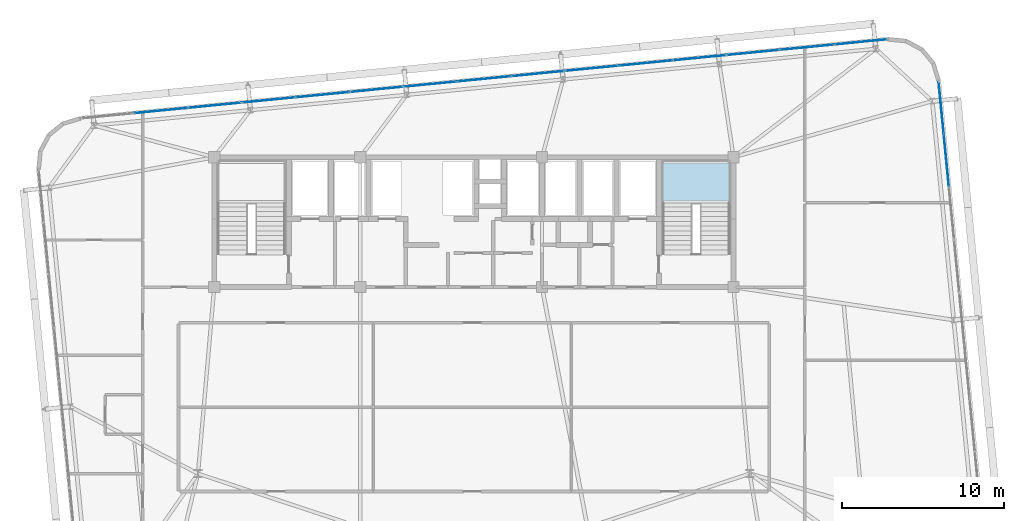
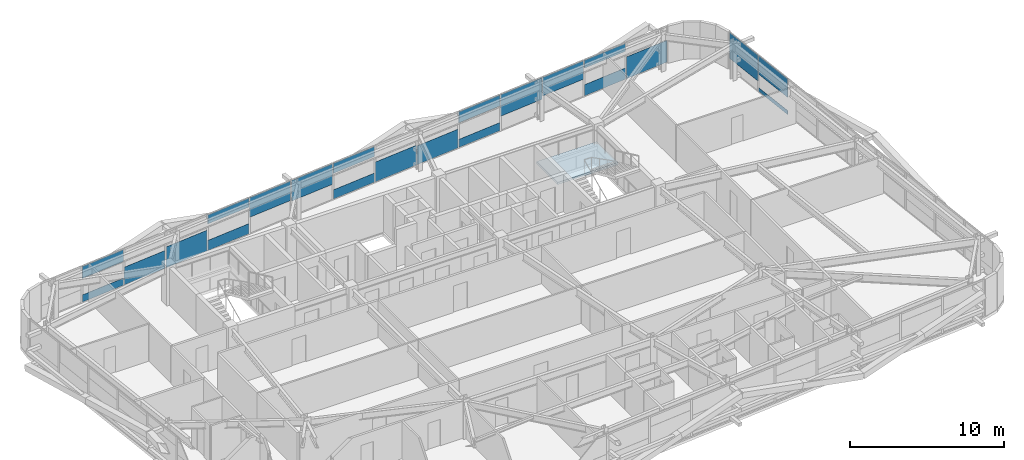
# One storey, part 37 of 54: 22 plates, 1 slab, 3 elements without a shape of their own.
"""IFC4 building model written with IfcOpenShell, lengths in metres."""

from ifc_helpers import new_model, si_unit, direction, frame, origin, origin_2d, place, context, subcontext, project, spatial, polyline, rectangle, outline, extrude, source, transform, mapped, material, layer, layer_set, type_object, element, aggregate, save


model = new_model("IFC4")

# Units and contexts
model_context = context("Model", 3, precision=1e-05, world=origin(), true_north=direction((0.0, 1.0)))
body_context = subcontext(model_context, "Body", "Model", "MODEL_VIEW")
ifc_project = project(units=[si_unit("LENGTHUNIT", "METRE"), si_unit("AREAUNIT", "SQUARE_METRE"), si_unit("VOLUMEUNIT", "CUBIC_METRE"), si_unit("PLANEANGLEUNIT", "RADIAN"), si_unit("MASSUNIT", "GRAM", prefix="KILO")], contexts=[model_context])

# Site, building, storey
site_placement = place(None, origin())
site = spatial("IfcSite", under=ifc_project, at=site_placement, CompositionType="ELEMENT")
building_placement = place(site_placement, origin())
building = spatial("IfcBuilding", under=site, at=building_placement, Name="Taldren Reach Tower", CompositionType="ELEMENT")
storey_placement = place(building_placement, frame((0.0, 0.0, 99.75)))
storey = spatial("IfcBuildingStorey", under=building, at=storey_placement, Name="L30", CompositionType="ELEMENT", Elevation=99.75)

# Stair, slab
ifc_material_1 = material(Name="Concrete S50 (50 MPa)", Category="concrete")
stair_type = type_object("IfcStairType", Name="ST-HT-315", PredefinedType="HALF_TURN_STAIR", material=ifc_material_1)
stair_placement = place(storey_placement, origin())
stair = element("IfcStair", 1, at=stair_placement, inside=storey, type_object=stair_type, Name="Fire-isolated exit stair ST2 L30", PredefinedType="HALF_TURN_STAIR")
ifc_layer_1 = layer(ifc_material_1, 0.179931640625)
ifc_layer_set_1 = layer_set([ifc_layer_1], Name="Concrete S50 (50 MPa)")
slab_type = type_object("IfcSlabType", Name="SL-LAND-180", PredefinedType="LANDING", material=ifc_layer_set_1)
slab_placement = place(storey_placement, frame((0.0, 0.0, 1.39501953125)))
slab = element("IfcSlab", 2, at=slab_placement, type_object=slab_type, Name="ST2 landing 1", PredefinedType="LANDING", context=body_context, shape_type="SweptSolid", body=[
    extrude(outline(polyline([(46.43994140625, 29.135009765625), (50.9599609375, 29.135009765625), (50.9599609375, 31.8701171875), (46.43994140625, 31.8701171875), (46.43994140625, 29.135009765625)])), origin(), (0.0, 0.0, 1.0), 0.179931640625),
])
aggregate(stair, [slab])

# Curtain wall, plates
ifc_material_2 = material(Name="Aluminium and Low-E Glass Unitised System", Category="aluminium")
ifc_layer_2 = layer(ifc_material_2, 0.159912109375)
ifc_layer_set_2 = layer_set([ifc_layer_2], Name="Aluminium and Low-E Glass Unitised System")
curtain_wall_type = type_object("IfcCurtainWallType", Name="CW-SYS-3", PredefinedType="NOTDEFINED", material=ifc_layer_set_2)
curtain_wall_1_placement = place(storey_placement, origin())
curtain_wall_1 = element("IfcCurtainWall", 3, at=curtain_wall_1_placement, inside=storey, type_object=curtain_wall_type, Name="Unitised curtain wall CW-L30-N", PredefinedType="NOTDEFINED")
ifc_material_3 = material(Name="Solar-Control Double Glazed IGU", Category="glass")
ifc_layer_3 = layer(ifc_material_3, 0.031982421875)
ifc_layer_set_3 = layer_set([ifc_layer_3], Name="Solar-Control Double Glazed IGU")
plate_type = type_object("IfcPlateType", Name="CW-PNL-IGU32", PredefinedType="CURTAIN_PANEL", material=ifc_layer_set_3)
shared_shape_1 = source(origin(), body_context, "Body", "SweptSolid", [
    extrude(rectangle(XDim=3.23583984375, YDim=0.031982421875, at=origin_2d()), origin(), (0.0, 0.0, 1.0), 1.72509765625),
])
plate_1_placement = place(storey_placement, frame((58.83740234375, 39.101318359375, 0.054931640625), z_axis=(0.0, 0.0, 1.0), x_axis=(-0.995227390247, -0.097582999046, 0.0)))
plate_1 = element("IfcPlate", 4, at=plate_1_placement, type_object=plate_type, Name="CW-3 panel 1.1 part 1", PredefinedType="CURTAIN_PANEL", context=body_context, shape_type="MappedRepresentation", body=[
    mapped(shared_shape_1, transform((0.0, 0.0, 0.0), scale=1.0)),
])
shared_shape_2 = source(origin(), body_context, "Body", "SweptSolid", [
    extrude(rectangle(XDim=3.268310546875, YDim=0.031982421875, at=origin_2d()), origin(), (0.0, 0.0, 1.0), 0.88818359375),
])
plate_2_placement = place(storey_placement, frame((55.5361328125, 38.777587890625, 0.05517578125), z_axis=(0.0, 0.0, 1.0), x_axis=(-0.995227390247, -0.097582999046, 0.0)))
plate_2 = element("IfcPlate", 5, at=plate_2_placement, type_object=plate_type, Name="CW-3 panel 2.1 part 1", PredefinedType="CURTAIN_PANEL", context=body_context, shape_type="MappedRepresentation", body=[
    mapped(shared_shape_2, transform((0.0, 0.0, 0.0), scale=1.0)),
])
shared_shape_3 = source(origin(), body_context, "Body", "SweptSolid", [
    extrude(rectangle(XDim=3.268310546875, YDim=0.031982421875, at=origin_2d()), origin(), (0.0, 0.0, 1.0), 0.626953125),
])
plate_3_placement = place(storey_placement, frame((55.5361328125, 38.777587890625, 2.248046875), z_axis=(0.0, 0.0, 1.0), x_axis=(-0.995227390247, -0.097582999046, 0.0)))
plate_3 = element("IfcPlate", 6, at=plate_3_placement, type_object=plate_type, Name="CW-3 panel 2.1 part 2", PredefinedType="CURTAIN_PANEL", context=body_context, shape_type="MappedRepresentation", body=[
    mapped(shared_shape_3, transform((0.0, 0.0, 0.0), scale=1.0)),
])
shared_shape_4 = source(origin(), body_context, "Body", "SweptSolid", [
    extrude(rectangle(XDim=3.268310546875, YDim=0.031982421875, at=origin_2d()), origin(), (0.0, 0.0, 1.0), 1.4638671875),
])
plate_4_placement = place(storey_placement, frame((52.21875, 38.452392578125, 1.4111328125), z_axis=(0.0, 0.0, 1.0), x_axis=(-0.995227390247, -0.097582999046, 0.0)))
plate_4 = element("IfcPlate", 7, at=plate_4_placement, type_object=plate_type, Name="CW-3 panel 3.1 part 1", PredefinedType="CURTAIN_PANEL", context=body_context, shape_type="MappedRepresentation", body=[
    mapped(shared_shape_4, transform((0.0, 0.0, 0.0), scale=1.0)),
])
shared_shape_5 = source(origin(), body_context, "Body", "SweptSolid", [
    extrude(rectangle(XDim=3.268310546875, YDim=0.031982421875, at=origin_2d()), origin(), (0.0, 0.0, 1.0), 1.704833984375),
])
plate_5_placement = place(storey_placement, frame((48.9013671875, 38.126953125, 1.17041015625), z_axis=(0.0, 0.0, 1.0), x_axis=(-0.995227390247, -0.097582999046, 0.0)))
plate_5 = element("IfcPlate", 8, at=plate_5_placement, type_object=plate_type, Name="CW-3 panel 4.1 part 1", PredefinedType="CURTAIN_PANEL", context=body_context, shape_type="MappedRepresentation", body=[
    mapped(shared_shape_5, transform((0.0, 0.0, 0.0), scale=1.0)),
])
shared_shape_6 = source(origin(), body_context, "Body", "SweptSolid", [
    extrude(rectangle(XDim=3.268310546875, YDim=0.031982421875, at=origin_2d()), origin(), (0.0, 0.0, 1.0), 0.647216796875),
])
plate_6_placement = place(storey_placement, frame((45.583740234375, 37.8017578125, 0.05517578125), z_axis=(0.0, 0.0, 1.0), x_axis=(-0.995227390247, -0.097582999046, 0.0)))
plate_6 = element("IfcPlate", 9, at=plate_6_placement, type_object=plate_type, Name="CW-3 panel 5.1 part 1", PredefinedType="CURTAIN_PANEL", context=body_context, shape_type="MappedRepresentation", body=[
    mapped(shared_shape_6, transform((0.0, 0.0, 0.0), scale=1.0)),
])
shared_shape_7 = source(origin(), body_context, "Body", "SweptSolid", [
    extrude(rectangle(XDim=3.268310546875, YDim=0.031982421875, at=origin_2d()), origin(), (0.0, 0.0, 1.0), 0.867919921875),
])
plate_7_placement = place(storey_placement, frame((45.583740234375, 37.8017578125, 2.0068359375), z_axis=(0.0, 0.0, 1.0), x_axis=(-0.995227390247, -0.097582999046, 0.0)))
plate_7 = element("IfcPlate", 10, at=plate_7_placement, type_object=plate_type, Name="CW-3 panel 5.1 part 2", PredefinedType="CURTAIN_PANEL", context=body_context, shape_type="MappedRepresentation", body=[
    mapped(shared_shape_7, transform((0.0, 0.0, 0.0), scale=1.0)),
])
shared_shape_8 = source(origin(), body_context, "Body", "SweptSolid", [
    extrude(rectangle(XDim=3.268310546875, YDim=0.031982421875, at=origin_2d()), origin(), (0.0, 0.0, 1.0), 1.484130859375),
])
plate_8_placement = place(storey_placement, frame((42.266357421875, 37.4765625, 0.05517578125), z_axis=(0.0, 0.0, 1.0), x_axis=(-0.995227390247, -0.097582999046, 0.0)))
plate_8 = element("IfcPlate", 11, at=plate_8_placement, type_object=plate_type, Name="CW-3 panel 6.1 part 1", PredefinedType="CURTAIN_PANEL", context=body_context, shape_type="MappedRepresentation", body=[
    mapped(shared_shape_8, transform((0.0, 0.0, 0.0), scale=1.0)),
])
shared_shape_9 = source(origin(), body_context, "Body", "SweptSolid", [
    extrude(rectangle(XDim=3.268310546875, YDim=0.031982421875, at=origin_2d()), origin(), (0.0, 0.0, 1.0), 1.564453125),
])
plate_9_placement = place(storey_placement, frame((38.948974609375, 37.151123046875, 0.054931640625), z_axis=(0.0, 0.0, 1.0), x_axis=(-0.995227390247, -0.097582999046, 0.0)))
plate_9 = element("IfcPlate", 12, at=plate_9_placement, type_object=plate_type, Name="CW-3 panel 7.1 part 1", PredefinedType="CURTAIN_PANEL", context=body_context, shape_type="MappedRepresentation", body=[
    mapped(shared_shape_9, transform((0.0, 0.0, 0.0), scale=1.0)),
])
shared_shape_10 = source(origin(), body_context, "Body", "SweptSolid", [
    extrude(rectangle(XDim=3.268310546875, YDim=0.031982421875, at=origin_2d()), origin(), (0.0, 0.0, 1.0), 0.7275390625),
])
plate_10_placement = place(storey_placement, frame((35.631591796875, 36.825927734375, 0.054931640625), z_axis=(0.0, 0.0, 1.0), x_axis=(-0.995227390247, -0.097582999046, 0.0)))
plate_10 = element("IfcPlate", 13, at=plate_10_placement, type_object=plate_type, Name="CW-3 panel 8.1 part 1", PredefinedType="CURTAIN_PANEL", context=body_context, shape_type="MappedRepresentation", body=[
    mapped(shared_shape_10, transform((0.0, 0.0, 0.0), scale=1.0)),
])
shared_shape_11 = source(origin(), body_context, "Body", "SweptSolid", [
    extrude(rectangle(XDim=3.268310546875, YDim=0.031982421875, at=origin_2d()), origin(), (0.0, 0.0, 1.0), 0.78759765625),
])
plate_11_placement = place(storey_placement, frame((35.631591796875, 36.825927734375, 2.08740234375), z_axis=(0.0, 0.0, 1.0), x_axis=(-0.995227390247, -0.097582999046, 0.0)))
plate_11 = element("IfcPlate", 14, at=plate_11_placement, type_object=plate_type, Name="CW-3 panel 8.1 part 2", PredefinedType="CURTAIN_PANEL", context=body_context, shape_type="MappedRepresentation", body=[
    mapped(shared_shape_11, transform((0.0, 0.0, 0.0), scale=1.0)),
])
shared_shape_12 = source(origin(), body_context, "Body", "SweptSolid", [
    extrude(rectangle(XDim=3.268310546875, YDim=0.031982421875, at=origin_2d()), origin(), (0.0, 0.0, 1.0), 1.62451171875),
])
plate_12_placement = place(storey_placement, frame((32.314208984375, 36.500732421875, 1.25048828125), z_axis=(0.0, 0.0, 1.0), x_axis=(-0.995227390247, -0.097582999046, 0.0)))
plate_12 = element("IfcPlate", 15, at=plate_12_placement, type_object=plate_type, Name="CW-3 panel 9.1 part 1", PredefinedType="CURTAIN_PANEL", context=body_context, shape_type="MappedRepresentation", body=[
    mapped(shared_shape_12, transform((0.0, 0.0, 0.0), scale=1.0)),
])
shared_shape_13 = source(origin(), body_context, "Body", "SweptSolid", [
    extrude(rectangle(XDim=3.268310546875, YDim=0.031982421875, at=origin_2d()), origin(), (0.0, 0.0, 1.0), 1.544189453125),
])
plate_13_placement = place(storey_placement, frame((28.996826171875, 36.17529296875, 1.3310546875), z_axis=(0.0, 0.0, 1.0), x_axis=(-0.995227390247, -0.097582999046, 0.0)))
plate_13 = element("IfcPlate", 16, at=plate_13_placement, type_object=plate_type, Name="CW-3 panel 10.1 part 1", PredefinedType="CURTAIN_PANEL", context=body_context, shape_type="MappedRepresentation", body=[
    mapped(shared_shape_13, transform((0.0, 0.0, 0.0), scale=1.0)),
])
shared_shape_14 = source(origin(), body_context, "Body", "SweptSolid", [
    extrude(rectangle(XDim=3.268310546875, YDim=0.031982421875, at=origin_2d()), origin(), (0.0, 0.0, 1.0), 0.807861328125),
])
plate_14_placement = place(storey_placement, frame((25.67919921875, 35.85009765625, 0.05517578125), z_axis=(0.0, 0.0, 1.0), x_axis=(-0.995227390247, -0.097582999046, 0.0)))
plate_14 = element("IfcPlate", 17, at=plate_14_placement, type_object=plate_type, Name="CW-3 panel 11.1 part 1", PredefinedType="CURTAIN_PANEL", context=body_context, shape_type="MappedRepresentation", body=[
    mapped(shared_shape_14, transform((0.0, 0.0, 0.0), scale=1.0)),
])
shared_shape_15 = source(origin(), body_context, "Body", "SweptSolid", [
    extrude(rectangle(XDim=3.268310546875, YDim=0.031982421875, at=origin_2d()), origin(), (0.0, 0.0, 1.0), 0.707275390625),
])
plate_15_placement = place(storey_placement, frame((25.67919921875, 35.85009765625, 2.16748046875), z_axis=(0.0, 0.0, 1.0), x_axis=(-0.995227390247, -0.097582999046, 0.0)))
plate_15 = element("IfcPlate", 18, at=plate_15_placement, type_object=plate_type, Name="CW-3 panel 11.1 part 2", PredefinedType="CURTAIN_PANEL", context=body_context, shape_type="MappedRepresentation", body=[
    mapped(shared_shape_15, transform((0.0, 0.0, 0.0), scale=1.0)),
])
shared_shape_16 = source(origin(), body_context, "Body", "SweptSolid", [
    extrude(rectangle(XDim=3.268310546875, YDim=0.031982421875, at=origin_2d()), origin(), (0.0, 0.0, 1.0), 1.644775390625),
])
plate_16_placement = place(storey_placement, frame((22.36181640625, 35.52490234375, 0.05517578125), z_axis=(0.0, 0.0, 1.0), x_axis=(-0.995227390247, -0.097582999046, 0.0)))
plate_16 = element("IfcPlate", 19, at=plate_16_placement, type_object=plate_type, Name="CW-3 panel 12.1 part 1", PredefinedType="CURTAIN_PANEL", context=body_context, shape_type="MappedRepresentation", body=[
    mapped(shared_shape_16, transform((0.0, 0.0, 0.0), scale=1.0)),
])
shared_shape_17 = source(origin(), body_context, "Body", "SweptSolid", [
    extrude(rectangle(XDim=3.268310546875, YDim=0.031982421875, at=origin_2d()), origin(), (0.0, 0.0, 1.0), 1.40380859375),
])
plate_17_placement = place(storey_placement, frame((19.04443359375, 35.199462890625, 0.054931640625), z_axis=(0.0, 0.0, 1.0), x_axis=(-0.995227390247, -0.097582999046, 0.0)))
plate_17 = element("IfcPlate", 20, at=plate_17_placement, type_object=plate_type, Name="CW-3 panel 13.1 part 1", PredefinedType="CURTAIN_PANEL", context=body_context, shape_type="MappedRepresentation", body=[
    mapped(shared_shape_17, transform((0.0, 0.0, 0.0), scale=1.0)),
])
shared_shape_18 = source(origin(), body_context, "Body", "SweptSolid", [
    extrude(rectangle(XDim=3.268310546875, YDim=0.031982421875, at=origin_2d()), origin(), (0.0, 0.0, 1.0), 0.56689453125),
])
plate_18_placement = place(storey_placement, frame((15.72705078125, 34.874267578125, 0.054931640625), z_axis=(0.0, 0.0, 1.0), x_axis=(-0.995227390247, -0.097582999046, 0.0)))
plate_18 = element("IfcPlate", 21, at=plate_18_placement, type_object=plate_type, Name="CW-3 panel 14.1 part 1", PredefinedType="CURTAIN_PANEL", context=body_context, shape_type="MappedRepresentation", body=[
    mapped(shared_shape_18, transform((0.0, 0.0, 0.0), scale=1.0)),
])
shared_shape_19 = source(origin(), body_context, "Body", "SweptSolid", [
    extrude(rectangle(XDim=3.268310546875, YDim=0.031982421875, at=origin_2d()), origin(), (0.0, 0.0, 1.0), 0.9482421875),
])
plate_19_placement = place(storey_placement, frame((15.72705078125, 34.874267578125, 1.9267578125), z_axis=(0.0, 0.0, 1.0), x_axis=(-0.995227390247, -0.097582999046, 0.0)))
plate_19 = element("IfcPlate", 22, at=plate_19_placement, type_object=plate_type, Name="CW-3 panel 14.1 part 2", PredefinedType="CURTAIN_PANEL", context=body_context, shape_type="MappedRepresentation", body=[
    mapped(shared_shape_19, transform((0.0, 0.0, 0.0), scale=1.0)),
])
aggregate(curtain_wall_1, [plate_1, plate_2, plate_3, plate_4, plate_5, plate_6, plate_7, plate_8, plate_9, plate_10, plate_11, plate_12, plate_13, plate_14, plate_15, plate_16, plate_17, plate_18, plate_19])

curtain_wall_2_placement = place(storey_placement, origin())
curtain_wall_2 = element("IfcCurtainWall", 23, at=curtain_wall_2_placement, inside=storey, type_object=curtain_wall_type, Name="Unitised curtain wall CW-L30-E", PredefinedType="NOTDEFINED")
shared_shape_20 = source(origin(), body_context, "Body", "SweptSolid", [
    extrude(rectangle(XDim=3.18017578125, YDim=0.031982421875, at=origin_2d()), origin(), (0.0, 0.0, 1.0), 2.049560546875),
])
plate_20_placement = place(storey_placement, frame((63.79931640625, 35.051025390625, 0.82568359375), z_axis=(0.0, 0.0, 1.0), x_axis=(-0.09758274098, 0.99522741555, 0.0)))
plate_20 = element("IfcPlate", 24, at=plate_20_placement, type_object=plate_type, Name="CW-3 panel 9.1 part 1", PredefinedType="CURTAIN_PANEL", context=body_context, shape_type="MappedRepresentation", body=[
    mapped(shared_shape_20, transform((0.0, 0.0, 0.0), scale=1.0)),
])
shared_shape_21 = source(origin(), body_context, "Body", "SweptSolid", [
    extrude(rectangle(XDim=3.212890625, YDim=0.031982421875, at=origin_2d()), origin(), (0.0, 0.0, 1.0), 0.3046875),
])
plate_21_placement = place(storey_placement, frame((64.117431640625, 31.80517578125, 0.054931640625), z_axis=(0.0, 0.0, 1.0), x_axis=(-0.09758274098, 0.99522741555, 0.0)))
plate_21 = element("IfcPlate", 25, at=plate_21_placement, type_object=plate_type, Name="CW-3 panel 8.1 part 1", PredefinedType="CURTAIN_PANEL", context=body_context, shape_type="MappedRepresentation", body=[
    mapped(shared_shape_21, transform((0.0, 0.0, 0.0), scale=1.0)),
])
shared_shape_22 = source(origin(), body_context, "Body", "SweptSolid", [
    extrude(rectangle(XDim=3.212890625, YDim=0.031982421875, at=origin_2d()), origin(), (0.0, 0.0, 1.0), 1.461669921875),
])
plate_22_placement = place(storey_placement, frame((64.117431640625, 31.80517578125, 1.4130859375), z_axis=(0.0, 0.0, 1.0), x_axis=(-0.09758274098, 0.99522741555, 0.0)))
plate_22 = element("IfcPlate", 26, at=plate_22_placement, type_object=plate_type, Name="CW-3 panel 8.1 part 2", PredefinedType="CURTAIN_PANEL", context=body_context, shape_type="MappedRepresentation", body=[
    mapped(shared_shape_22, transform((0.0, 0.0, 0.0), scale=1.0)),
])
aggregate(curtain_wall_2, [plate_21, plate_22, plate_20])

save(model, "model.ifc")
